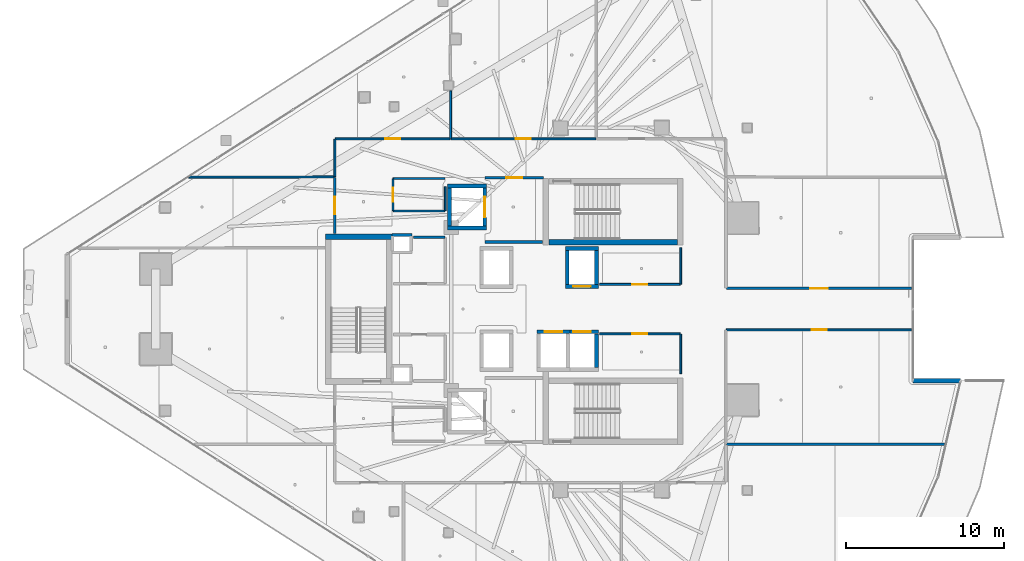
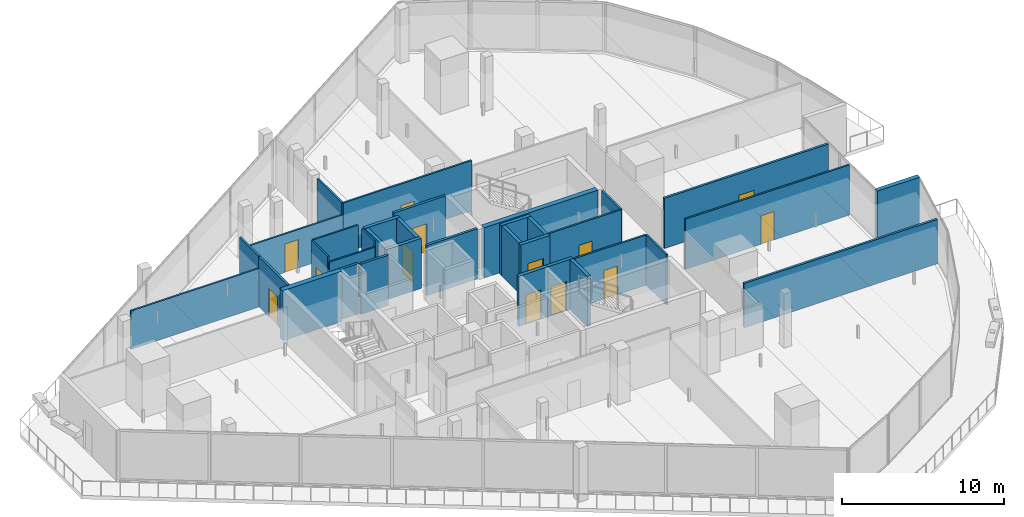
# One storey, part 26 of 37: 35 walls, 13 doors, 13 openings.
"""IFC4 building model written with IfcOpenShell, lengths in metres."""

import ifcopenshell
import ifcopenshell.guid

model = None  # the IFC model being written
_history = None  # IfcOwnerHistory: only IFC2X3 demands one
_inside = {}  # id of a spatial element -> (the spatial element, [elements in it])
_under = {}  # id of a project, library or spatial element -> (it, [spatial elements below it])
_declared = {}  # id of a project -> (the project, [libraries it declares])
_typed = {}  # id of a type object -> (the type object, [elements of that type])
_made_of = {}  # id of a material, layer set ... -> (it, [elements and type objects made of it])


def new_model(schema):
    """Start an empty IFC model of exactly this schema.

    Asked for "IFC4X3", IfcOpenShell would pick the latest addendum, in which some entities
    have other attributes; the version numbers below select the first issue.
    IFC2X3 requires an IfcOwnerHistory on every rooted entity: one is made here for all.
    """
    global model, _history
    if schema == "IFC4X3":
        model = ifcopenshell.file(schema_version=(4, 3, 0, 0))
    else:
        model = ifcopenshell.file(schema=schema)
    _inside.clear()
    _under.clear()
    _declared.clear()
    _typed.clear()
    _made_of.clear()
    _history = None
    if model.schema == "IFC2X3":
        org = make("IfcOrganization", Name="unknown")
        user = make(
            "IfcPersonAndOrganization",
            ThePerson=make("IfcPerson", FamilyName="unknown"),
            TheOrganization=org,
        )
        app = make(
            "IfcApplication",
            ApplicationDeveloper=org,
            Version="unknown",
            ApplicationFullName="unknown",
            ApplicationIdentifier="unknown",
        )
        _history = make(
            "IfcOwnerHistory",
            OwningUser=user,
            OwningApplication=app,
            ChangeAction="ADDED",
            CreationDate=0,
        )
    return model


def make(cls, **values):
    """One entity of the class cls with the attributes given. An attribute that is None is left unset."""
    return model.create_entity(
        cls, **{name: value for name, value in values.items() if value is not None}
    )


def rooted(cls, **values):
    """An entity with a GlobalId (a new one), such as an element, a storey or a relation."""
    return make(cls, GlobalId=ifcopenshell.guid.new(), OwnerHistory=_history, **values)


def si_unit(unit_type, name, prefix=None):
    """IfcSIUnit, for example si_unit("LENGTHUNIT", "METRE", prefix="MILLI")."""
    return make("IfcSIUnit", UnitType=unit_type, Prefix=prefix, Name=name)


def assignment(units):
    """IfcUnitAssignment: the units of a project."""
    return None if units is None else make("IfcUnitAssignment", Units=units)


def point(xyz):
    """IfcCartesianPoint."""
    return None if xyz is None else make("IfcCartesianPoint", Coordinates=xyz)


def direction(xyz):
    """IfcDirection."""
    return None if xyz is None else make("IfcDirection", DirectionRatios=xyz)


def frame(location, z_axis=None, x_axis=None):
    """IfcAxis2Placement3D, a coordinate frame: its origin and axes. An axis left out is left unset."""
    return make(
        "IfcAxis2Placement3D",
        Location=point(location),
        Axis=direction(z_axis),
        RefDirection=direction(x_axis),
    )


def frame_2d(location, x_axis=None):
    """IfcAxis2Placement2D, a coordinate frame in the plane: its origin and x axis."""
    return make(
        "IfcAxis2Placement2D", Location=point(location), RefDirection=direction(x_axis)
    )


def origin():
    """The frame at (0, 0, 0) with its axes left unset."""
    return frame((0.0, 0.0, 0.0))


def place(relative_to, where):
    """IfcLocalPlacement: puts the frame where relative to a parent placement (None: the world)."""
    return make(
        "IfcLocalPlacement", PlacementRelTo=relative_to, RelativePlacement=where
    )


def context(
    kind, dimensions, precision=None, world=None, true_north=None, identifier=None
):
    """IfcGeometricRepresentationContext, for example the 3D "Model" context."""
    return make(
        "IfcGeometricRepresentationContext",
        ContextIdentifier=identifier,
        ContextType=kind,
        CoordinateSpaceDimension=dimensions,
        Precision=precision,
        WorldCoordinateSystem=world,
        TrueNorth=true_north,
    )


def subcontext(parent, identifier, kind, view, scale=None):
    """IfcGeometricRepresentationSubContext, for example "Body" below "Model"."""
    return make(
        "IfcGeometricRepresentationSubContext",
        ContextIdentifier=identifier,
        ContextType=kind,
        ParentContext=parent,
        TargetScale=scale,
        TargetView=view,
    )


def project(units=None, contexts=None):
    """IfcProject with its units and contexts."""
    return rooted(
        "IfcProject",
        Name="project",
        RepresentationContexts=contexts,
        UnitsInContext=assignment(units),
    )


def spatial(cls, under=None, at=None, **own):
    """A site, building, storey or space (cls), placed at a placement, below another one or the project."""
    s = rooted(cls, ObjectPlacement=at, **own)
    if under is not None:
        _under.setdefault(under.id(), (under, []))[1].append(s)
    return s


def profile(cls, at=None, kind="AREA", **sizes):
    """A parametric profile (cls). Its sizes go by their IFC names, for example OverallWidth=200.0."""
    return make(cls, ProfileType=kind, Position=at, **sizes)


def rectangle(**sizes):
    """IfcRectangleProfileDef."""
    return profile("IfcRectangleProfileDef", **sizes)


def extrude(swept, where, along, depth):
    """IfcExtrudedAreaSolid: the profile swept, set in the frame where, extruded along a direction by depth."""
    return make(
        "IfcExtrudedAreaSolid",
        SweptArea=swept,
        Position=where,
        ExtrudedDirection=direction(along),
        Depth=depth,
    )


def shape(context_of_items, identifier, shape_type, items):
    """IfcShapeRepresentation: the items that make up one representation, for example the "Body"."""
    return make(
        "IfcShapeRepresentation",
        ContextOfItems=context_of_items,
        RepresentationIdentifier=identifier,
        RepresentationType=shape_type,
        Items=items,
    )


def material(Name=None, Category=None):
    """IfcMaterial."""
    return make("IfcMaterial", Name=Name, Category=Category)


def layer(
    of_material, thickness, ventilated=None, Name=None, Category=None, Priority=None
):
    """IfcMaterialLayer: one layer of a wall or slab, of a material (None: an air gap)."""
    return make(
        "IfcMaterialLayer",
        Material=of_material,
        LayerThickness=thickness,
        IsVentilated=ventilated,
        Name=Name,
        Category=Category,
        Priority=Priority,
    )


def layer_set(layers, Name=None):
    """IfcMaterialLayerSet."""
    return make("IfcMaterialLayerSet", MaterialLayers=layers, LayerSetName=Name)


def made_of(thing, what):
    """Note that an element or type object is made of a material, layer set ...; save() writes the relation."""
    if what is not None:
        _made_of.setdefault(what.id(), (what, []))[1].append(thing)
    return thing


def type_object(cls, material=None, **own):
    """A type object (cls), such as IfcWallType, which elements share."""
    return made_of(rooted(cls, **own), material)


def element(
    cls,
    number,
    at=None,
    inside=None,
    cuts=None,
    type_object=None,
    material=None,
    context=None,
    identifier="Body",
    shape_type=None,
    held_by="IfcProductDefinitionShape",
    body=None,
    shapes=None,
    **own,
):
    """One element of the class cls, such as IfcWall. Its Tag is "e" and its number.

    at: its placement. inside: the storey or other place that contains it. cuts: it is an
    opening in that element (IfcRelVoidsElement). A single representation is given by context,
    identifier, shape_type and body (its items); several are given by shapes. held_by: the class
    of the entity that holds the representations. save() writes the other relations.
    """
    e = rooted(cls, Tag="e%d" % number, ObjectPlacement=at, **own)
    if body is not None:
        shapes = [shape(context, identifier, shape_type, body)]
    if shapes is not None:
        e.Representation = make(held_by, Representations=shapes)
    if inside is not None:
        _inside.setdefault(inside.id(), (inside, []))[1].append(e)
    if cuts is not None:
        rooted(
            "IfcRelVoidsElement", RelatingBuildingElement=cuts, RelatedOpeningElement=e
        )
    if type_object is not None:
        _typed.setdefault(type_object.id(), (type_object, []))[1].append(e)
    return made_of(e, material)


def fill(opening, filler):
    """IfcRelFillsElement: the door or window that sits in an opening."""
    return rooted(
        "IfcRelFillsElement",
        RelatingOpeningElement=opening,
        RelatedBuildingElement=filler,
    )


def aggregate(whole, parts):
    """IfcRelAggregates: a whole, such as a stair, and the parts it consists of."""
    return rooted("IfcRelAggregates", RelatingObject=whole, RelatedObjects=parts)


def save(model, path):
    """Write the relations noted so far, then the file.

    IfcRelAggregates (storeys below a building ...), IfcRelContainedInSpatialStructure (elements
    in a storey), IfcRelDefinesByType, IfcRelAssociatesMaterial and IfcRelDeclares: one each for
    every whole, place, type object, material and project.
    """
    for whole, parts in _under.values():
        aggregate(whole, parts)
    for where, things in _inside.values():
        rooted(
            "IfcRelContainedInSpatialStructure",
            RelatedElements=things,
            RelatingStructure=where,
        )
    for kind, things in _typed.values():
        rooted("IfcRelDefinesByType", RelatedObjects=things, RelatingType=kind)
    for what, things in _made_of.values():
        rooted("IfcRelAssociatesMaterial", RelatedObjects=things, RelatingMaterial=what)
    for by, libraries in _declared.values():
        rooted("IfcRelDeclares", RelatingContext=by, RelatedDefinitions=libraries)
    model.write(path)


model = new_model("IFC4")

# Units and contexts
model_context = context("Model", 3, precision=1e-05, world=origin(), true_north=direction((0.0, 1.0)))
body_context = subcontext(model_context, "Body", "Model", "MODEL_VIEW")
ifc_project = project(units=[si_unit("LENGTHUNIT", "METRE"), si_unit("AREAUNIT", "SQUARE_METRE"), si_unit("VOLUMEUNIT", "CUBIC_METRE"), si_unit("PLANEANGLEUNIT", "RADIAN"), si_unit("MASSUNIT", "GRAM", prefix="KILO")], contexts=[model_context])

# Site, building, storey
site_placement = place(None, origin())
site = spatial("IfcSite", under=ifc_project, at=site_placement, CompositionType="ELEMENT")
building_placement = place(site_placement, origin())
building = spatial("IfcBuilding", under=site, at=building_placement, Name="Qorvath Tower", CompositionType="ELEMENT")
storey_placement = place(building_placement, frame((0.0, 0.0, 196.949951171875)))
storey = spatial("IfcBuildingStorey", under=building, at=storey_placement, Name="L45", CompositionType="ELEMENT", Elevation=196.949951171875)

# Walls
ifc_material_1 = material(Name="Gypsum shaftliner on steel studs", Category="steel")
ifc_layer_1 = layer(ifc_material_1, 0.179931640625)
ifc_layer_set_1 = layer_set([ifc_layer_1], Name="FW-LOBBY")
wall_type_1 = type_object("IfcWallType", Name="FW-LOBBY", PredefinedType="PARTITIONING", material=ifc_layer_set_1)
wall_1_placement = place(storey_placement, frame((-34.260009765625, 4.675048828125, 0.0), z_axis=(0.0, 0.0, 1.0), x_axis=(1.0, 0.0, 0.0)))
element("IfcWall", 1, at=wall_1_placement, inside=storey, type_object=wall_type_1, Name="MEP Riser Shaft Enclosure Wall N-L45-N", PredefinedType="PARTITIONING", context=body_context, shape_type="SweptSolid", body=[
    extrude(rectangle(XDim=1.27001953125, YDim=0.179931640625, at=frame_2d((0.635009765625, 0.0))), origin(), (0.0, 0.0, 1.0), 3.780029296875),
])
wall_2_placement = place(storey_placement, frame((-28.35498046875, 4.25, 0.0), z_axis=(0.0, 0.0, 1.0), x_axis=(1.0, 0.0, 0.0)))
element("IfcWall", 2, at=wall_2_placement, inside=storey, type_object=wall_type_1, Name="Interior Partition IW-T1-L45-001", PredefinedType="PARTITIONING", context=body_context, shape_type="SweptSolid", body=[
    extrude(rectangle(XDim=3.6220703125, YDim=0.179931640625, at=frame_2d((1.81103515625, 0.0))), origin(), (0.0, 0.0, 1.0), 3.780029296875),
])

# Wall, opening, door
wall_3_placement = place(storey_placement, frame((-24.68408203125, 8.300048828125, 0.0), z_axis=(0.0, 0.0, 1.0), x_axis=(-1.0, 0.0, 0.0)))
wall_3 = element("IfcWall", 3, at=wall_3_placement, inside=storey, type_object=wall_type_1, Name="Interior Partition IW-T1-L45-002", PredefinedType="PARTITIONING", context=body_context, shape_type="SweptSolid", body=[
    extrude(rectangle(XDim=3.6708984375, YDim=0.179931640625, at=frame_2d((1.83544921875, 0.0))), origin(), (0.0, 0.0, 1.0), 3.780029296875),
])
opening_1_placement = place(wall_3_placement, frame((1.33544921875, 0.0, 0.0)))
opening_1 = element("IfcOpeningElement", 4, at=opening_1_placement, cuts=wall_3, Name="Opening D-T1-L45-17", PredefinedType="OPENING", context=body_context, shape_type="SweptSolid", body=[
    extrude(rectangle(XDim=1.0, YDim=2.14990234375, at=frame_2d((0.5, 1.074951171875))), frame((0.0, 0.10009765625, 0.0), z_axis=(0.0, -1.0, 0.0), x_axis=(1.0, 0.0, 0.0)), (0.0, 0.0, 1.0), 0.199951171875),
])
ifc_material_2 = material(Name="Painted galvanised hollow metal", Category="steel")
door_type_1 = type_object("IfcDoorType", Name="FD-60", OperationType="NOTDEFINED", PredefinedType="DOOR", material=ifc_material_2)
door_1_placement = place(opening_1_placement, origin())
door_1 = element("IfcDoor", 5, at=door_1_placement, inside=storey, type_object=door_type_1, Name="Lobby Fire Service Elevator North Door D-T1-L45-17", OperationType="SINGLE_SWING_RIGHT", OverallHeight=2.14990234375, OverallWidth=1.0, PredefinedType="DOOR", context=body_context, shape_type="SweptSolid", body=[
    extrude(rectangle(XDim=1.0, YDim=2.14990234375, at=frame_2d((0.5, 1.074951171875))), frame((0.0, 0.02490234375, 0.0), z_axis=(0.0, -1.0, 0.0), x_axis=(1.0, 0.0, 0.0)), (0.0, 0.0, 1.0), 0.050048828125),
])
fill(opening_1, door_1)

# Walls
wall_4_placement = place(storey_placement, frame((-30.90478515625, 4.5400390625, 0.0), z_axis=(0.0, 0.0, 1.0), x_axis=(-1.0, 0.0, 0.0)))
element("IfcWall", 6, at=wall_4_placement, inside=storey, type_object=wall_type_1, Name="Interior Partition IW-T1-L45-019", PredefinedType="PARTITIONING", context=body_context, shape_type="SweptSolid", body=[
    extrude(rectangle(XDim=1.97509765625, YDim=0.179931640625, at=frame_2d((0.987548828125, 0.0))), origin(), (0.0, 0.0, 1.0), 3.780029296875),
])
ifc_material_3 = material(Name="Double acoustic gypsum board on steel studs", Category="steel")
ifc_layer_2 = layer(ifc_material_3, 0.159912109375)
ifc_layer_set_2 = layer_set([ifc_layer_2], Name="IW-ACOUSTIC-160")
wall_type_2 = type_object("IfcWallType", Name="IW-ACOUSTIC-160", PredefinedType="PARTITIONING", material=ifc_layer_set_2)
wall_5_placement = place(storey_placement, frame((0.671630859375, -8.534423828125, 0.0), z_axis=(0.0, 0.0, 1.0), x_axis=(-0.99999935797, -0.001133163812, 0.0)))
element("IfcWall", 7, at=wall_5_placement, inside=storey, type_object=wall_type_2, Name="Interior Partition IW-T1-L45-040", PredefinedType="PARTITIONING", context=body_context, shape_type="SweptSolid", body=[
    extrude(rectangle(XDim=13.788818359375, YDim=0.159912109375, at=frame_2d((6.89453125, 0.0))), origin(), (0.0, 0.0, 1.0), 3.34423828125),
])

# Wall, opening, door
wall_6_placement = place(storey_placement, frame((-13.1171875, 1.30810546875, 0.0), z_axis=(0.0, 0.0, 1.0), x_axis=(1.0, 0.0, 0.0)))
wall_6 = element("IfcWall", 8, at=wall_6_placement, inside=storey, type_object=wall_type_2, Name="Interior Partition IW-T1-L45-046", PredefinedType="PARTITIONING", context=body_context, shape_type="SweptSolid", body=[
    extrude(rectangle(XDim=11.7080078125, YDim=0.159912109375, at=frame_2d((5.85400390625, 0.0))), origin(), (0.0, 0.0, 1.0), 3.780029296875),
])
opening_2_placement = place(wall_6_placement, frame((5.303955078125, 0.0, 0.0)))
opening_2 = element("IfcOpeningElement", 9, at=opening_2_placement, cuts=wall_6, Name="Opening D-T1-L45-14", PredefinedType="OPENING", context=body_context, shape_type="SweptSolid", body=[
    extrude(rectangle(XDim=1.10009765625, YDim=2.14990234375, at=frame_2d((0.550048828125, 1.074951171875))), frame((0.0, 0.08984375, 0.0), z_axis=(0.0, -1.0, 0.0), x_axis=(1.0, 0.0, 0.0)), (0.0, 0.0, 1.0), 0.179931640625),
])
ifc_material_4 = material(Name="Anodised aluminium acoustic framed glass", Category="aluminium")
door_type_2 = type_object("IfcDoorType", Name="D-03", OperationType="NOTDEFINED", PredefinedType="DOOR", material=ifc_material_4)
door_2_placement = place(opening_2_placement, origin())
door_2 = element("IfcDoor", 10, at=door_2_placement, inside=storey, type_object=door_type_2, Name="L45-08 Enclosed Conference Suite Door D-T1-L45-14", OperationType="SINGLE_SWING_LEFT", OverallHeight=2.14990234375, OverallWidth=1.10009765625, PredefinedType="DOOR", context=body_context, shape_type="SweptSolid", body=[
    extrude(rectangle(XDim=1.10009765625, YDim=2.14990234375, at=frame_2d((0.550048828125, 1.074951171875))), frame((0.0, 0.02490234375, 0.0), z_axis=(0.0, -1.0, 0.0), x_axis=(1.0, 0.0, 0.0)), (0.0, 0.0, 1.0), 0.050048828125),
])
fill(opening_2, door_2)

wall_7_placement = place(storey_placement, frame((-37.85791015625, 4.783203125, 0.0), z_axis=(0.0, 0.0, 1.0), x_axis=(0.0, 1.0, 0.0)))
wall_7 = element("IfcWall", 11, at=wall_7_placement, inside=storey, type_object=wall_type_2, Name="Interior Partition IW-T1-L45-049", PredefinedType="PARTITIONING", context=body_context, shape_type="SweptSolid", body=[
    extrude(rectangle(XDim=3.53369140625, YDim=0.159912109375, at=frame_2d((1.766845703125, 0.0))), origin(), (0.0, 0.0, 1.0), 3.780029296875),
])
opening_3_placement = place(wall_7_placement, frame((1.216796875, 0.0, 0.0)))
opening_3 = element("IfcOpeningElement", 12, at=opening_3_placement, cuts=wall_7, Name="Opening D-T1-L45-16", PredefinedType="OPENING", context=body_context, shape_type="SweptSolid", body=[
    extrude(rectangle(XDim=1.10009765625, YDim=2.14990234375, at=frame_2d((0.550048828125, 1.074951171875))), frame((0.0, 0.08984375, 0.0), z_axis=(0.0, -1.0, 0.0), x_axis=(1.0, 0.0, 0.0)), (0.0, 0.0, 1.0), 0.179931640625),
])
door_3_placement = place(opening_3_placement, origin())
door_3 = element("IfcDoor", 13, at=door_3_placement, inside=storey, type_object=door_type_2, Name="L45-10 Client Services Office Door D-T1-L45-16", OperationType="SINGLE_SWING_LEFT", OverallHeight=2.14990234375, OverallWidth=1.10009765625, PredefinedType="DOOR", context=body_context, shape_type="SweptSolid", body=[
    extrude(rectangle(XDim=1.10009765625, YDim=2.14990234375, at=frame_2d((0.550048828125, 1.074951171875))), frame((0.0, 0.02490234375, 0.0), z_axis=(0.0, -1.0, 0.0), x_axis=(1.0, 0.0, 0.0)), (0.0, 0.0, 1.0), 0.050048828125),
])
fill(opening_3, door_3)

ifc_material_5 = material(Name="Gypsum board on metal studs with mineral wool", Category="gypsum")
ifc_layer_3 = layer(ifc_material_5, 0.125)
ifc_layer_set_3 = layer_set([ifc_layer_3], Name="IW-PART-125")
wall_type_3 = type_object("IfcWallType", Name="IW-PART-125", PredefinedType="PARTITIONING", material=ifc_layer_set_3)
wall_8_placement = place(storey_placement, frame((-21.1337890625, 1.56005859375, 0.0), z_axis=(0.0, 0.0, 1.0), x_axis=(1.0, 0.0, 0.0)))
wall_8 = element("IfcWall", 14, at=wall_8_placement, inside=storey, type_object=wall_type_3, Name="Interior Partition IW-T1-L45-013", PredefinedType="PARTITIONING", context=body_context, shape_type="SweptSolid", body=[
    extrude(rectangle(XDim=5.10888671875, YDim=0.125, at=frame_2d((2.554443359375, 0.0))), origin(), (0.0, 0.0, 1.0), 3.780029296875),
])
opening_4_placement = place(wall_8_placement, frame((2.079345703125, 0.0, 0.0)))
opening_4 = element("IfcOpeningElement", 15, at=opening_4_placement, cuts=wall_8, Name="Opening D-T1-L45-03", PredefinedType="OPENING", context=body_context, shape_type="SweptSolid", body=[
    extrude(rectangle(XDim=0.949951171875, YDim=2.14990234375, at=frame_2d((0.47509765625, 1.074951171875))), frame((0.0, 0.072509765625, 0.0), z_axis=(0.0, -1.0, 0.0), x_axis=(1.0, 0.0, 0.0)), (0.0, 0.0, 1.0), 0.14501953125),
])
ifc_material_6 = material(Name="Solid-core American white oak veneer", Category="wood")
door_type_3 = type_object("IfcDoorType", Name="D-01", OperationType="NOTDEFINED", PredefinedType="DOOR", material=ifc_material_6)
door_4_placement = place(opening_4_placement, origin())
door_4 = element("IfcDoor", 16, at=door_4_placement, inside=storey, type_object=door_type_3, Name="L45-RCN North Quantitative Server Suite Door D-T1-L45-03", OperationType="SINGLE_SWING_RIGHT", OverallHeight=2.14990234375, OverallWidth=0.949951171875, PredefinedType="DOOR", context=body_context, shape_type="SweptSolid", body=[
    extrude(rectangle(XDim=0.949951171875, YDim=2.14990234375, at=frame_2d((0.47509765625, 1.074951171875))), frame((0.0, 0.02490234375, 0.0), z_axis=(0.0, -1.0, 0.0), x_axis=(1.0, 0.0, 0.0)), (0.0, 0.0, 1.0), 0.050048828125),
])
fill(opening_4, door_4)

# Walls
wall_9_placement = place(storey_placement, frame((-16.0, 1.585205078125, 0.0), z_axis=(0.0, 0.0, 1.0), x_axis=(0.0, 1.0, 0.0)))
element("IfcWall", 17, at=wall_9_placement, inside=storey, type_object=wall_type_3, Name="Interior Partition IW-T1-L45-014", PredefinedType="PARTITIONING", context=body_context, shape_type="SweptSolid", body=[
    extrude(rectangle(XDim=2.30224609375, YDim=0.125, at=frame_2d((1.151123046875, 0.0))), origin(), (0.0, 0.0, 1.0), 3.780029296875),
])
wall_10_placement = place(storey_placement, frame((-16.0, -4.0751953125, 0.0), z_axis=(0.0, 0.0, 1.0), x_axis=(0.0, 1.0, 0.0)))
element("IfcWall", 18, at=wall_10_placement, inside=storey, type_object=wall_type_3, Name="Interior Partition IW-T1-L45-015", PredefinedType="PARTITIONING", context=body_context, shape_type="SweptSolid", body=[
    extrude(rectangle(XDim=2.489990234375, YDim=0.125, at=frame_2d((1.2451171875, 0.0))), origin(), (0.0, 0.0, 1.0), 3.780029296875),
])

# Wall, opening, door
wall_11_placement = place(storey_placement, frame((-16.02490234375, -1.56005859375, 0.0), z_axis=(0.0, 0.0, 1.0), x_axis=(-1.0, 0.0, 0.0)))
wall_11 = element("IfcWall", 19, at=wall_11_placement, inside=storey, type_object=wall_type_3, Name="Interior Partition IW-T1-L45-016", PredefinedType="PARTITIONING", context=body_context, shape_type="SweptSolid", body=[
    extrude(rectangle(XDim=5.10888671875, YDim=0.125, at=frame_2d((2.554443359375, 0.0))), origin(), (0.0, 0.0, 1.0), 3.780029296875),
])
opening_5_placement = place(wall_11_placement, frame((2.079345703125, 0.0, 0.0)))
opening_5 = element("IfcOpeningElement", 20, at=opening_5_placement, cuts=wall_11, Name="Opening D-T1-L45-04", PredefinedType="OPENING", context=body_context, shape_type="SweptSolid", body=[
    extrude(rectangle(XDim=0.949951171875, YDim=2.14990234375, at=frame_2d((0.47509765625, 1.074951171875))), frame((0.0, 0.072509765625, 0.0), z_axis=(0.0, -1.0, 0.0), x_axis=(1.0, 0.0, 0.0)), (0.0, 0.0, 1.0), 0.14501953125),
])
door_5_placement = place(opening_5_placement, origin())
door_5 = element("IfcDoor", 21, at=door_5_placement, inside=storey, type_object=door_type_3, Name="L45-RCS South Quantitative Server Suite Door D-T1-L45-04", OperationType="SINGLE_SWING_LEFT", OverallHeight=2.14990234375, OverallWidth=0.949951171875, PredefinedType="DOOR", context=body_context, shape_type="SweptSolid", body=[
    extrude(rectangle(XDim=0.949951171875, YDim=2.14990234375, at=frame_2d((0.47509765625, 1.074951171875))), frame((0.0, 0.02490234375, 0.0), z_axis=(0.0, -1.0, 0.0), x_axis=(1.0, 0.0, 0.0)), (0.0, 0.0, 1.0), 0.050048828125),
])
fill(opening_5, door_5)

# Wall
wall_12_placement = place(storey_placement, frame((-37.85791015625, 10.733154296875, 0.0), z_axis=(0.0, 0.0, 1.0), x_axis=(0.0, -1.0, 0.0)))
element("IfcWall", 22, at=wall_12_placement, inside=storey, type_object=wall_type_3, Name="Interior Partition IW-T1-L45-023", PredefinedType="PARTITIONING", context=body_context, shape_type="SweptSolid", body=[
    extrude(rectangle(XDim=2.358154296875, YDim=0.125, at=frame_2d((1.17919921875, 0.0))), origin(), (0.0, 0.0, 1.0), 3.780029296875),
])

# Wall, opening, door
wall_13_placement = place(storey_placement, frame((-37.8330078125, 10.758056640625, 0.0), z_axis=(0.0, 0.0, 1.0), x_axis=(1.0, 0.0, 0.0)))
wall_13 = element("IfcWall", 23, at=wall_13_placement, inside=storey, type_object=wall_type_3, Name="Interior Partition IW-T1-L45-024", PredefinedType="PARTITIONING", context=body_context, shape_type="SweptSolid", body=[
    extrude(rectangle(XDim=7.26318359375, YDim=0.125, at=frame_2d((3.631591796875, 0.0))), origin(), (0.0, 0.0, 1.0), 2.89990234375),
])
opening_6_placement = place(wall_13_placement, frame((3.156494140625, 0.0, 0.0)))
opening_6 = element("IfcOpeningElement", 24, at=opening_6_placement, cuts=wall_13, Name="Opening D-T1-L45-07", PredefinedType="OPENING", context=body_context, shape_type="SweptSolid", body=[
    extrude(rectangle(XDim=0.949951171875, YDim=2.14990234375, at=frame_2d((0.47509765625, 1.074951171875))), frame((0.0, 0.072509765625, 0.0), z_axis=(0.0, -1.0, 0.0), x_axis=(1.0, 0.0, 0.0)), (0.0, 0.0, 1.0), 0.14501953125),
])
door_6_placement = place(opening_6_placement, origin())
door_6 = element("IfcDoor", 25, at=door_6_placement, inside=storey, type_object=door_type_3, Name="L45-01 Staff Wellness Studio Door D-T1-L45-07", OperationType="SINGLE_SWING_RIGHT", OverallHeight=2.14990234375, OverallWidth=0.949951171875, PredefinedType="DOOR", context=body_context, shape_type="SweptSolid", body=[
    extrude(rectangle(XDim=0.949951171875, YDim=2.14990234375, at=frame_2d((0.47509765625, 1.074951171875))), frame((0.0, 0.02490234375, 0.0), z_axis=(0.0, -1.0, 0.0), x_axis=(1.0, 0.0, 0.0)), (0.0, 0.0, 1.0), 0.050048828125),
])
fill(opening_6, door_6)

# Walls
wall_14_placement = place(storey_placement, frame((-30.544921875, 10.783203125, 0.0), z_axis=(0.0, 0.0, 1.0), x_axis=(0.0, 1.0, 0.0)))
element("IfcWall", 26, at=wall_14_placement, inside=storey, type_object=wall_type_3, Name="Interior Partition IW-T1-L45-025", PredefinedType="PARTITIONING", context=body_context, shape_type="SweptSolid", body=[
    extrude(rectangle(XDim=3.0009765625, YDim=0.125, at=frame_2d((1.50048828125, 0.0))), origin(), (0.0, 0.0, 1.0), 3.780029296875),
])
wall_15_placement = place(storey_placement, frame((-47.072998046875, 8.335205078125, 0.0), z_axis=(0.0, 0.0, 1.0), x_axis=(0.999998687013, 0.001620485081, 0.0)))
element("IfcWall", 27, at=wall_15_placement, inside=storey, type_object=wall_type_3, Name="Interior Partition IW-T1-L45-028", PredefinedType="PARTITIONING", context=body_context, shape_type="SweptSolid", body=[
    extrude(rectangle(XDim=9.190185546875, YDim=0.125, at=frame_2d((4.59521484375, 0.0))), origin(), (0.0, 0.0, 1.0), 2.89990234375),
])

# Wall, opening, door
wall_16_placement = place(storey_placement, frame((-30.511962890625, 10.758056640625, 0.0), z_axis=(0.0, 0.0, 1.0), x_axis=(1.0, 0.0, 0.0)))
wall_16 = element("IfcWall", 28, at=wall_16_placement, inside=storey, type_object=wall_type_3, Name="Interior Partition IW-T1-L45-029", PredefinedType="PARTITIONING", context=body_context, shape_type="SweptSolid", body=[
    extrude(rectangle(XDim=9.14111328125, YDim=0.125, at=frame_2d((4.570556640625, 0.0))), origin(), (0.0, 0.0, 1.0), 3.780029296875),
])
opening_7_placement = place(wall_16_placement, frame((4.095703125, 0.0, 0.0)))
opening_7 = element("IfcOpeningElement", 29, at=opening_7_placement, cuts=wall_16, Name="Opening D-T1-L45-08", PredefinedType="OPENING", context=body_context, shape_type="SweptSolid", body=[
    extrude(rectangle(XDim=0.949951171875, YDim=2.14990234375, at=frame_2d((0.47509765625, 1.074951171875))), frame((0.0, 0.072509765625, 0.0), z_axis=(0.0, -1.0, 0.0), x_axis=(1.0, 0.0, 0.0)), (0.0, 0.0, 1.0), 0.14501953125),
])
door_7_placement = place(opening_7_placement, origin())
door_7 = element("IfcDoor", 30, at=door_7_placement, inside=storey, type_object=door_type_3, Name="L45-02 Design Pin-Up Atelier Door D-T1-L45-08", OperationType="SINGLE_SWING_LEFT", OverallHeight=2.14990234375, OverallWidth=0.949951171875, PredefinedType="DOOR", context=body_context, shape_type="SweptSolid", body=[
    extrude(rectangle(XDim=0.949951171875, YDim=2.14990234375, at=frame_2d((0.47509765625, 1.074951171875))), frame((0.0, 0.02490234375, 0.0), z_axis=(0.0, -1.0, 0.0), x_axis=(1.0, 0.0, 0.0)), (0.0, 0.0, 1.0), 0.050048828125),
])
fill(opening_7, door_7)

wall_17_placement = place(storey_placement, frame((-1.4091796875, -1.30810546875, 0.0), z_axis=(0.0, 0.0, 1.0), x_axis=(-1.0, 0.0, 0.0)))
wall_17 = element("IfcWall", 31, at=wall_17_placement, inside=storey, type_object=wall_type_3, Name="Interior Partition IW-T1-L45-043", PredefinedType="PARTITIONING", context=body_context, shape_type="SweptSolid", body=[
    extrude(rectangle(XDim=11.7080078125, YDim=0.125, at=frame_2d((5.85400390625, 0.0))), origin(), (0.0, 0.0, 1.0), 3.780029296875),
])
opening_8_placement = place(wall_17_placement, frame((5.37890625, 0.0, 0.0)))
opening_8 = element("IfcOpeningElement", 32, at=opening_8_placement, cuts=wall_17, Name="Opening D-T1-L45-13", PredefinedType="OPENING", context=body_context, shape_type="SweptSolid", body=[
    extrude(rectangle(XDim=0.949951171875, YDim=2.14990234375, at=frame_2d((0.47509765625, 1.074951171875))), frame((0.0, 0.072509765625, 0.0), z_axis=(0.0, -1.0, 0.0), x_axis=(1.0, 0.0, 0.0)), (0.0, 0.0, 1.0), 0.14501953125),
])
door_8_placement = place(opening_8_placement, origin())
door_8 = element("IfcDoor", 33, at=door_8_placement, inside=storey, type_object=door_type_3, Name="L45-07 Open Workplace Studio Door D-T1-L45-13", OperationType="SINGLE_SWING_RIGHT", OverallHeight=2.14990234375, OverallWidth=0.949951171875, PredefinedType="DOOR", context=body_context, shape_type="SweptSolid", body=[
    extrude(rectangle(XDim=0.949951171875, YDim=2.14990234375, at=frame_2d((0.47509765625, 1.074951171875))), frame((0.0, 0.02490234375, 0.0), z_axis=(0.0, -1.0, 0.0), x_axis=(1.0, 0.0, 0.0)), (0.0, 0.0, 1.0), 0.050048828125),
])
fill(opening_8, door_8)

ifc_material_7 = material(Name="Moisture-resistant cement board on metal studs", Category="gypsum")
ifc_layer_4 = layer(ifc_material_7, 0.110107421875)
ifc_layer_set_4 = layer_set([ifc_layer_4], Name="IW-WC-110")
wall_type_4 = type_object("IfcWallType", Name="IW-WC-110", PredefinedType="PARTITIONING", material=ifc_layer_set_4)
wall_18_placement = place(storey_placement, frame((-34.179931640625, 8.22509765625, 0.0), z_axis=(0.0, 0.0, 1.0), x_axis=(0.0, -1.0, 0.0)))
wall_18 = element("IfcWall", 34, at=wall_18_placement, inside=storey, type_object=wall_type_4, Name="Interior Partition IW-T1-L45-005", PredefinedType="PARTITIONING", context=body_context, shape_type="SweptSolid", body=[
    extrude(rectangle(XDim=2.0, YDim=0.110107421875, at=frame_2d((1.0, 0.0))), origin(), (0.0, 0.0, 1.0), 3.780029296875),
])
opening_9_placement = place(wall_18_placement, frame((0.56005859375, 0.0, 0.0)))
opening_9 = element("IfcOpeningElement", 35, at=opening_9_placement, cuts=wall_18, Name="Opening D-T1-L45-01", PredefinedType="OPENING", context=body_context, shape_type="SweptSolid", body=[
    extrude(rectangle(XDim=0.8798828125, YDim=2.10009765625, at=frame_2d((0.43994140625, 1.050048828125))), frame((0.0, 0.06494140625, 0.0), z_axis=(0.0, -1.0, 0.0), x_axis=(1.0, 0.0, 0.0)), (0.0, 0.0, 1.0), 0.130126953125),
])
ifc_material_8 = material(Name="Solid-core oak with acoustic drop seal", Category="wood")
door_type_4 = type_object("IfcDoorType", Name="D-02", OperationType="NOTDEFINED", PredefinedType="DOOR", material=ifc_material_8)
door_9_placement = place(opening_9_placement, origin())
door_9 = element("IfcDoor", 36, at=door_9_placement, inside=storey, type_object=door_type_4, Name="WC All-Gender North L45 Door D-T1-L45-01", OperationType="SINGLE_SWING_RIGHT", OverallHeight=2.10009765625, OverallWidth=0.8798828125, PredefinedType="DOOR", context=body_context, shape_type="SweptSolid", body=[
    extrude(rectangle(XDim=0.8798828125, YDim=2.10009765625, at=frame_2d((0.43994140625, 1.050048828125))), frame((0.0, 0.02490234375, 0.0), z_axis=(0.0, -1.0, 0.0), x_axis=(1.0, 0.0, 0.0)), (0.0, 0.0, 1.0), 0.050048828125),
])
fill(opening_9, door_9)

# Walls
wall_19_placement = place(storey_placement, frame((-34.15478515625, 6.199951171875, 0.0), z_axis=(0.0, 0.0, 1.0), x_axis=(1.0, 0.0, 0.0)))
element("IfcWall", 37, at=wall_19_placement, inside=storey, type_object=wall_type_4, Name="Interior Partition IW-T1-L45-006", PredefinedType="PARTITIONING", context=body_context, shape_type="SweptSolid", body=[
    extrude(rectangle(XDim=3.25, YDim=0.110107421875, at=frame_2d((1.625, 0.0))), origin(), (0.0, 0.0, 1.0), 3.34423828125),
])
wall_20_placement = place(storey_placement, frame((-30.8798828125, 6.22509765625, 0.0), z_axis=(0.0, 0.0, 1.0), x_axis=(0.0, 1.0, 0.0)))
element("IfcWall", 38, at=wall_20_placement, inside=storey, type_object=wall_type_4, Name="Interior Partition IW-T1-L45-007", PredefinedType="PARTITIONING", context=body_context, shape_type="SweptSolid", body=[
    extrude(rectangle(XDim=1.517822265625, YDim=0.110107421875, at=frame_2d((0.7587890625, 0.0))), origin(), (0.0, 0.0, 1.0), 3.780029296875),
])
wall_21_placement = place(storey_placement, frame((-30.90478515625, 8.25, 0.0), z_axis=(0.0, 0.0, 1.0), x_axis=(-1.0, 0.0, 0.0)))
element("IfcWall", 39, at=wall_21_placement, inside=storey, type_object=wall_type_4, Name="Interior Partition IW-T1-L45-008", PredefinedType="PARTITIONING", context=body_context, shape_type="SweptSolid", body=[
    extrude(rectangle(XDim=3.25, YDim=0.110107421875, at=frame_2d((1.625, 0.0))), origin(), (0.0, 0.0, 1.0), 3.780029296875),
])
ifc_material_9 = material(Name="Concrete C60/75", Category="concrete")
ifc_layer_5 = layer(ifc_material_9, 0.260009765625)
ifc_layer_set_5 = layer_set([ifc_layer_5], Name="SW-SHAFT")
wall_type_5 = type_object("IfcWallType", Name="SW-SHAFT", PredefinedType="SHEAR", material=ifc_layer_set_5)
for number, where, z_axis, x_axis, name in (
    (40, (-28.260009765625, 5.1298828125, 0.0), (0.0, 0.0, 1.0), (-1.0, 0.0, 0.0), "Hoistway Wall FSAE-1 L45 S"),
    (41, (-30.739990234375, 7.77001953125, 0.0), (0.0, 0.0, 1.0), (1.0, 0.0, 0.0), "Hoistway Wall FSAE-1 L45 N"),
):
    element("IfcWall", number, at=place(storey_placement, frame(where, z_axis=z_axis, x_axis=x_axis)), inside=storey, type_object=wall_type_5, Name=name, PredefinedType="SHEAR", context=body_context, shape_type="SweptSolid", body=[
        extrude(rectangle(XDim=2.47998046875, YDim=0.239990234375, at=frame_2d((1.239990234375, 0.0))), origin(), (0.0, 0.0, 1.0), 3.780029296875),
    ])
wall_22_placement = place(storey_placement, frame((-30.6201171875, 5.261962890625, 0.0), z_axis=(0.0, 0.0, 1.0), x_axis=(0.0, 1.0, 0.0)))
element("IfcWall", 42, at=wall_22_placement, inside=storey, type_object=wall_type_5, Name="Hoistway Wall FSAE-1 L45 W", PredefinedType="SHEAR", context=body_context, shape_type="SweptSolid", body=[
    extrude(rectangle(XDim=2.3759765625, YDim=0.239990234375, at=frame_2d((1.18798828125, 0.0))), origin(), (0.0, 0.0, 1.0), 3.780029296875),
])

# Wall, opening, door
wall_23_placement = place(storey_placement, frame((-28.3798828125, 7.637939453125, 0.0), z_axis=(0.0, 0.0, 1.0), x_axis=(0.0, -1.0, 0.0)))
wall_23 = element("IfcWall", 43, at=wall_23_placement, inside=storey, type_object=wall_type_5, Name="Hoistway Wall FSAE-1 L45 E", PredefinedType="SHEAR", context=body_context, shape_type="SweptSolid", body=[
    extrude(rectangle(XDim=2.3759765625, YDim=0.239990234375, at=frame_2d((1.18798828125, 0.0))), origin(), (0.0, 0.0, 1.0), 3.780029296875),
])
opening_10_placement = place(wall_23_placement, frame((0.537841796875, 0.0, 0.0)))
opening_10 = element("IfcOpeningElement", 44, at=opening_10_placement, cuts=wall_23, Name="Opening LD-FSAE-1-L45", PredefinedType="OPENING", context=body_context, shape_type="SweptSolid", body=[
    extrude(rectangle(XDim=1.300048828125, YDim=2.300048828125, at=frame_2d((0.64990234375, 1.14990234375))), frame((0.0, 0.1298828125, 0.0), z_axis=(0.0, -1.0, 0.0), x_axis=(1.0, 0.0, 0.0)), (0.0, 0.0, 1.0), 0.260009765625),
])
ifc_material_10 = material(Name="Brushed stainless steel AISI 316", Category="steel")
door_type_5 = type_object("IfcDoorType", Name="LD-02", OperationType="NOTDEFINED", PredefinedType="DOOR", material=ifc_material_10)
door_10_placement = place(opening_10_placement, origin())
door_10 = element("IfcDoor", 45, at=door_10_placement, inside=storey, type_object=door_type_5, Name="Elevator Landing Sliding Door LD-FSAE-1-L45", OperationType="DOUBLE_DOOR_SLIDING", OverallHeight=2.300048828125, OverallWidth=1.300048828125, PredefinedType="DOOR", context=body_context, shape_type="SweptSolid", body=[
    extrude(rectangle(XDim=1.300048828125, YDim=2.300048828125, at=frame_2d((0.64990234375, 1.14990234375))), frame((0.0, 0.02490234375, 0.0), z_axis=(0.0, -1.0, 0.0), x_axis=(1.0, 0.0, 0.0)), (0.0, 0.0, 1.0), 0.050048828125),
])
fill(opening_10, door_10)

wall_24_placement = place(storey_placement, frame((-21.2099609375, 1.429931640625, 0.0), z_axis=(0.0, 0.0, 1.0), x_axis=(-1.0, 0.0, 0.0)))
wall_24 = element("IfcWall", 46, at=wall_24_placement, inside=storey, type_object=wall_type_5, Name="Hoistway Wall PU-1 L45 S", PredefinedType="SHEAR", context=body_context, shape_type="SweptSolid", body=[
    extrude(rectangle(XDim=2.080078125, YDim=0.239990234375, at=frame_2d((1.0400390625, 0.0))), origin(), (0.0, 0.0, 1.0), 3.780029296875),
])
opening_11_placement = place(wall_24_placement, frame((0.489990234375, 0.0, 0.0)))
opening_11 = element("IfcOpeningElement", 47, at=opening_11_placement, cuts=wall_24, Name="Opening LD-PU-1-L45", PredefinedType="OPENING", context=body_context, shape_type="SweptSolid", body=[
    extrude(rectangle(XDim=1.10009765625, YDim=2.199951171875, at=frame_2d((0.550048828125, 1.10009765625))), frame((0.0, 0.1298828125, 0.0), z_axis=(0.0, -1.0, 0.0), x_axis=(1.0, 0.0, 0.0)), (0.0, 0.0, 1.0), 0.260009765625),
])
ifc_material_11 = material(Name="Brushed stainless steel AISI 316", Category="steel")
door_type_6 = type_object("IfcDoorType", Name="LD-01", OperationType="NOTDEFINED", PredefinedType="DOOR", material=ifc_material_11)
door_11_placement = place(opening_11_placement, origin())
door_11 = element("IfcDoor", 48, at=door_11_placement, inside=storey, type_object=door_type_6, Name="Elevator Landing Sliding Door LD-PU-1-L45", OperationType="DOUBLE_DOOR_SLIDING", OverallHeight=2.199951171875, OverallWidth=1.10009765625, PredefinedType="DOOR", context=body_context, shape_type="SweptSolid", body=[
    extrude(rectangle(XDim=1.10009765625, YDim=2.199951171875, at=frame_2d((0.550048828125, 1.10009765625))), frame((0.0, 0.02490234375, 0.0), z_axis=(0.0, -1.0, 0.0), x_axis=(1.0, 0.0, 0.0)), (0.0, 0.0, 1.0), 0.050048828125),
])
fill(opening_11, door_11)

# Walls
wall_25_placement = place(storey_placement, frame((-23.2900390625, 3.820068359375, 0.0), z_axis=(0.0, 0.0, 1.0), x_axis=(1.0, 0.0, 0.0)))
element("IfcWall", 49, at=wall_25_placement, inside=storey, type_object=wall_type_5, Name="Hoistway Wall PU-1 L45 N", PredefinedType="SHEAR", context=body_context, shape_type="SweptSolid", body=[
    extrude(rectangle(XDim=2.080078125, YDim=0.239990234375, at=frame_2d((1.0400390625, 0.0))), origin(), (0.0, 0.0, 1.0), 3.780029296875),
])
for number, where, z_axis, x_axis, name in (
    (50, (-23.169921875, 1.56201171875, 0.0), (0.0, 0.0, 1.0), (0.0, 1.0, 0.0), "Hoistway Wall PU-1 L45 W"),
    (51, (-21.330078125, 3.68798828125, 0.0), (0.0, 0.0, 1.0), (0.0, -1.0, 0.0), "Hoistway Wall PU-1 L45 E"),
):
    element("IfcWall", number, at=place(storey_placement, frame(where, z_axis=z_axis, x_axis=x_axis)), inside=storey, type_object=wall_type_5, Name=name, PredefinedType="SHEAR", context=body_context, shape_type="SweptSolid", body=[
        extrude(rectangle(XDim=2.1259765625, YDim=0.239990234375, at=frame_2d((1.06298828125, 0.0))), origin(), (0.0, 0.0, 1.0), 3.780029296875),
    ])

# Wall, opening, door
wall_26_placement = place(storey_placement, frame((-25.090087890625, -1.429931640625, 0.0), z_axis=(0.0, 0.0, 1.0), x_axis=(1.0, 0.0, 0.0)))
wall_26 = element("IfcWall", 52, at=wall_26_placement, inside=storey, type_object=wall_type_5, Name="Hoistway Wall PU-2 L45 N", PredefinedType="SHEAR", context=body_context, shape_type="SweptSolid", body=[
    extrude(rectangle(XDim=2.080078125, YDim=0.239990234375, at=frame_2d((1.0400390625, 0.0))), origin(), (0.0, 0.0, 1.0), 3.780029296875),
])
opening_12_placement = place(wall_26_placement, frame((0.489990234375, 0.0, 0.0)))
opening_12 = element("IfcOpeningElement", 53, at=opening_12_placement, cuts=wall_26, Name="Opening LD-PU-2-L45", PredefinedType="OPENING", context=body_context, shape_type="SweptSolid", body=[
    extrude(rectangle(XDim=1.10009765625, YDim=2.199951171875, at=frame_2d((0.550048828125, 1.10009765625))), frame((0.0, 0.1298828125, 0.0), z_axis=(0.0, -1.0, 0.0), x_axis=(1.0, 0.0, 0.0)), (0.0, 0.0, 1.0), 0.260009765625),
])
door_12_placement = place(opening_12_placement, origin())
door_12 = element("IfcDoor", 54, at=door_12_placement, inside=storey, type_object=door_type_6, Name="Elevator Landing Sliding Door LD-PU-2-L45", OperationType="DOUBLE_DOOR_SLIDING", OverallHeight=2.199951171875, OverallWidth=1.10009765625, PredefinedType="DOOR", context=body_context, shape_type="SweptSolid", body=[
    extrude(rectangle(XDim=1.10009765625, YDim=2.199951171875, at=frame_2d((0.550048828125, 1.10009765625))), frame((0.0, 0.02490234375, 0.0), z_axis=(0.0, -1.0, 0.0), x_axis=(1.0, 0.0, 0.0)), (0.0, 0.0, 1.0), 0.050048828125),
])
fill(opening_12, door_12)

wall_27_placement = place(storey_placement, frame((-23.010009765625, -1.429931640625, 0.0), z_axis=(0.0, 0.0, 1.0), x_axis=(1.0, 0.0, 0.0)))
wall_27 = element("IfcWall", 55, at=wall_27_placement, inside=storey, type_object=wall_type_5, Name="Hoistway Wall PU-3 L45 N", PredefinedType="SHEAR", context=body_context, shape_type="SweptSolid", body=[
    extrude(rectangle(XDim=1.800048828125, YDim=0.239990234375, at=frame_2d((0.89990234375, 0.0))), origin(), (0.0, 0.0, 1.0), 3.780029296875),
])
opening_13_placement = place(wall_27_placement, frame((0.2099609375, 0.0, 0.0)))
opening_13 = element("IfcOpeningElement", 56, at=opening_13_placement, cuts=wall_27, Name="Opening LD-PU-3-L45", PredefinedType="OPENING", context=body_context, shape_type="SweptSolid", body=[
    extrude(rectangle(XDim=1.10009765625, YDim=2.199951171875, at=frame_2d((0.550048828125, 1.10009765625))), frame((0.0, 0.1298828125, 0.0), z_axis=(0.0, -1.0, 0.0), x_axis=(1.0, 0.0, 0.0)), (0.0, 0.0, 1.0), 0.260009765625),
])
door_13_placement = place(opening_13_placement, origin())
door_13 = element("IfcDoor", 57, at=door_13_placement, inside=storey, type_object=door_type_6, Name="Elevator Landing Sliding Door LD-PU-3-L45", OperationType="DOUBLE_DOOR_SLIDING", OverallHeight=2.199951171875, OverallWidth=1.10009765625, PredefinedType="DOOR", context=body_context, shape_type="SweptSolid", body=[
    extrude(rectangle(XDim=1.10009765625, YDim=2.199951171875, at=frame_2d((0.550048828125, 1.10009765625))), frame((0.0, 0.02490234375, 0.0), z_axis=(0.0, -1.0, 0.0), x_axis=(1.0, 0.0, 0.0)), (0.0, 0.0, 1.0), 0.050048828125),
])
fill(opening_13, door_13)

# Walls
wall_28_placement = place(storey_placement, frame((-21.330078125, -1.56201171875, 0.0), z_axis=(0.0, 0.0, 1.0), x_axis=(0.0, -1.0, 0.0)))
element("IfcWall", 58, at=wall_28_placement, inside=storey, type_object=wall_type_5, Name="Hoistway Wall PU-3 L45 E", PredefinedType="SHEAR", context=body_context, shape_type="SweptSolid", body=[
    extrude(rectangle(XDim=2.1259765625, YDim=0.239990234375, at=frame_2d((1.06298828125, 0.0))), origin(), (0.0, 0.0, 1.0), 3.780029296875),
])
ifc_material_12 = material(Name="Concrete C60/75", Category="concrete")
ifc_layer_6 = layer(ifc_material_12, 0.35009765625)
ifc_layer_set_6 = layer_set([ifc_layer_6], Name="SW-STAIR")
wall_type_6 = type_object("IfcWallType", Name="SW-STAIR", PredefinedType="SHEAR", material=ifc_layer_set_6)
wall_29_placement = place(storey_placement, frame((-24.3349609375, 4.22509765625, 0.0), z_axis=(0.0, 0.0, 1.0), x_axis=(1.0, 0.0, 0.0)))
element("IfcWall", 59, at=wall_29_placement, inside=storey, type_object=wall_type_6, Name="Stair TS1 Shear Wall L45 LEFT", PredefinedType="SHEAR", context=body_context, shape_type="SweptSolid", body=[
    extrude(rectangle(XDim=8.119873046875, YDim=0.35009765625, at=frame_2d((4.06005859375, 0.0))), origin(), (0.0, 0.0, 1.0), 3.780029296875),
])
wall_30_placement = place(storey_placement, frame((-34.25, 4.574951171875, 0.0), z_axis=(0.0, 0.0, 1.0), x_axis=(-1.0, 0.0, 0.0)))
element("IfcWall", 60, at=wall_30_placement, inside=storey, type_object=wall_type_6, Name="Stair TS3 Shear Wall L45 FAR", PredefinedType="SHEAR", context=body_context, shape_type="SweptSolid", body=[
    extrude(rectangle(XDim=4.2099609375, YDim=0.35009765625, at=frame_2d((2.10498046875, 0.0))), origin(), (0.0, 0.0, 1.0), 3.780029296875),
])
ifc_material_13 = material(Name="Precast concrete C45/55", Category="concrete")
ifc_layer_7 = layer(ifc_material_13, 0.300048828125)
ifc_layer_set_7 = layer_set([ifc_layer_7], Name="WL-EW-LOG-300")
wall_type_7 = type_object("IfcWallType", Name="WL-EW-LOG-300", PredefinedType="SOLIDWALL", material=ifc_layer_set_7)
wall_31_placement = place(storey_placement, frame((1.68408203125, -4.519775390625, 0.0), z_axis=(0.0, 0.0, 1.0), x_axis=(-1.0, 0.0, 0.0)))
element("IfcWall", 61, at=wall_31_placement, inside=storey, type_object=wall_type_7, Name="Tower Precast Loggia Wall L45-8.1", PredefinedType="SOLIDWALL", context=body_context, shape_type="SweptSolid", body=[
    extrude(rectangle(XDim=3.01318359375, YDim=0.300048828125, at=frame_2d((1.506591796875, 0.0))), origin(), (0.0, 0.0, 1.0), 3.780029296875),
])

save(model, "model.ifc")
